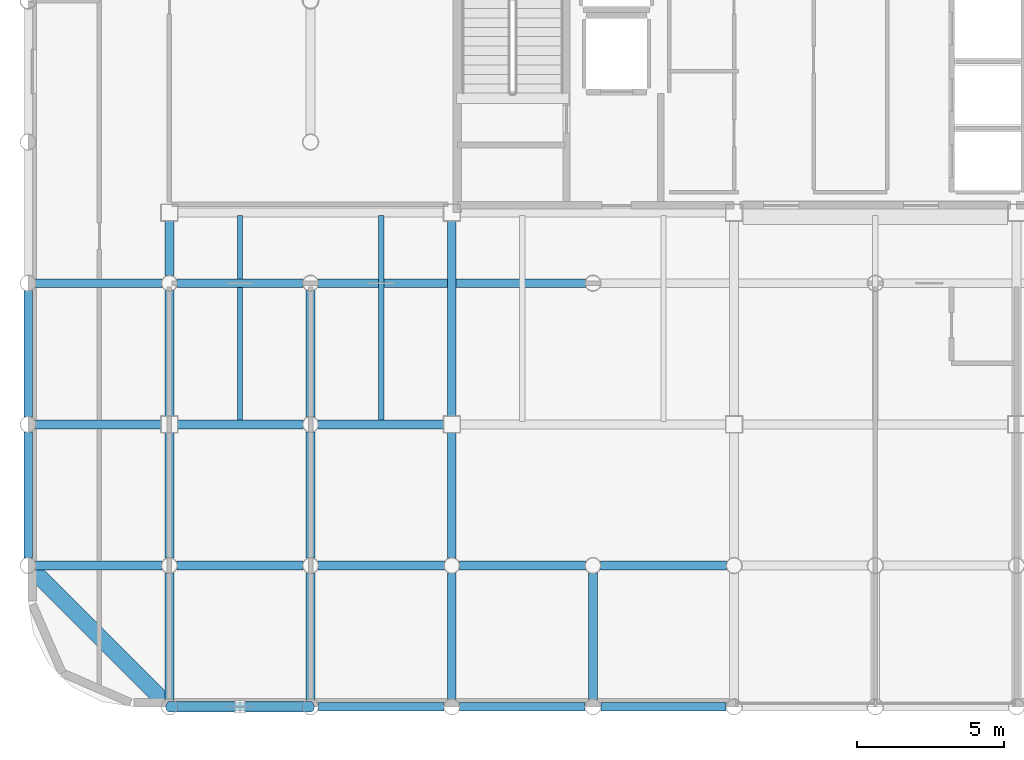
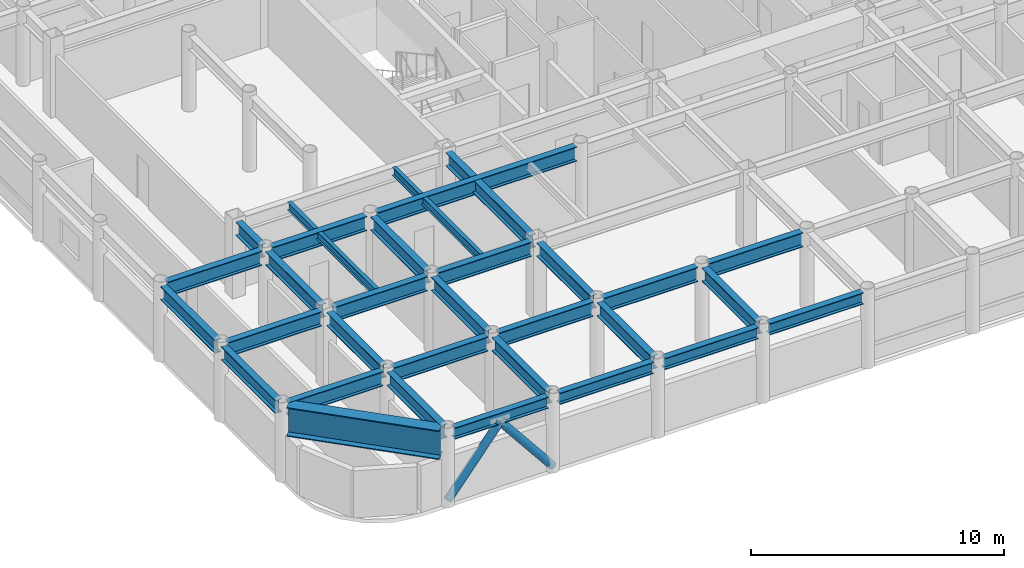
# One storey, part 3 of 22: 31 beams, 2 members.
"""IFC4 building model written with IfcOpenShell, lengths in metres."""

from ifc_helpers import new_model, si_unit, direction, frame, origin, origin_2d, place, context, subcontext, project, spatial, hollow_circle, i_section, extrude, material, material_profile, profile_set, type_object, element, save


model = new_model("IFC4")

# Units and contexts
model_context = context("Model", 3, precision=1e-05, world=origin(), true_north=direction((0.0, 1.0)))
body_context = subcontext(model_context, "Body", "Model", "MODEL_VIEW")
ifc_project = project(units=[si_unit("LENGTHUNIT", "METRE"), si_unit("AREAUNIT", "SQUARE_METRE"), si_unit("VOLUMEUNIT", "CUBIC_METRE"), si_unit("PLANEANGLEUNIT", "RADIAN"), si_unit("MASSUNIT", "GRAM", prefix="KILO")], contexts=[model_context])

# Site, building, storey
site_placement = place(None, origin())
site = spatial("IfcSite", under=ifc_project, at=site_placement, CompositionType="ELEMENT")
building_placement = place(site_placement, origin())
building = spatial("IfcBuilding", under=site, at=building_placement, Name="Kallvorn Hotel Tower", CompositionType="ELEMENT")
storey_placement = place(building_placement, frame((0.0, 0.0, 203.050048828125)))
storey = spatial("IfcBuildingStorey", under=building, at=storey_placement, Name="L50", CompositionType="ELEMENT", Elevation=203.050048828125)

# Beams
ifc_material_1 = material(Name="Structural steel S355JR", Category="steel")
ifc_material_profile_1 = material_profile(ifc_material_1, i_section(OverallWidth=0.300048828125, OverallDepth=0.550048828125, WebThickness=0.014892578125, FlangeThickness=0.029052734375, at=origin_2d()), Name="HE 550 B")
ifc_profile_set_1 = profile_set([ifc_material_profile_1], Name="Structural steel S355JR")
beam_type_1 = type_object("IfcBeamType", Name="BM_HE550B", PredefinedType="SPANDREL", material=ifc_profile_set_1)
for number, where, z_axis, x_axis, name in (
    (1, (-23.73046875, -24.0, 3.39501953125), (1.0, 0.0, 0.0), (0.0, 1.0, 0.0), "L51 Perimeter Spandrel 151"),
    (2, (-18.930419921875, -24.0, 3.39501953125), (1.0, 0.0, 0.0), (0.0, 1.0, 0.0), "L51 Perimeter Spandrel 152"),
):
    element("IfcBeam", number, at=place(storey_placement, frame(where, z_axis=z_axis, x_axis=x_axis)), inside=storey, type_object=beam_type_1, Name=name, PredefinedType="SPANDREL", context=body_context, shape_type="SweptSolid", body=[
        extrude(i_section(OverallWidth=0.300048828125, OverallDepth=0.550048828125, WebThickness=0.014892578125, FlangeThickness=0.029052734375, at=origin_2d()), origin(), (0.0, 0.0, 1.0), 4.260986328125),
    ])
beam_1_placement = place(storey_placement, frame((-14.130615234375, -24.0, 3.39501953125), z_axis=(1.0, 0.0, 0.0), x_axis=(0.0, 1.0, 0.0)))
element("IfcBeam", 3, at=beam_1_placement, inside=storey, type_object=beam_type_1, Name="L51 Perimeter Spandrel 153", PredefinedType="SPANDREL", context=body_context, shape_type="SweptSolid", body=[
    extrude(i_section(OverallWidth=0.300048828125, OverallDepth=0.550048828125, WebThickness=0.014892578125, FlangeThickness=0.029052734375, at=origin_2d()), origin(), (0.0, 0.0, 1.0), 4.26123046875),
])
beam_2_placement = place(storey_placement, frame((-9.33056640625, -24.0, 3.39501953125), z_axis=(1.0, 0.0, 0.0), x_axis=(0.0, 1.0, 0.0)))
element("IfcBeam", 4, at=beam_2_placement, inside=storey, type_object=beam_type_1, Name="L51 Perimeter Spandrel 154", PredefinedType="SPANDREL", context=body_context, shape_type="SweptSolid", body=[
    extrude(i_section(OverallWidth=0.300048828125, OverallDepth=0.550048828125, WebThickness=0.014892578125, FlangeThickness=0.029052734375, at=origin_2d()), origin(), (0.0, 0.0, 1.0), 4.260986328125),
])
ifc_material_2 = material(Name="Structural steel S355JR", Category="steel")
ifc_material_profile_2 = material_profile(ifc_material_2, i_section(OverallWidth=0.300048828125, OverallDepth=0.64990234375, WebThickness=0.01611328125, FlangeThickness=0.031005859375, at=origin_2d()), Name="HE 650 B")
ifc_profile_set_2 = profile_set([ifc_material_profile_2], Name="Structural steel S355JR")
beam_type_2 = type_object("IfcBeamType", Name="BM_HE650B", PredefinedType="BEAM", material=ifc_profile_set_2)
for number, where, z_axis, x_axis, name in (
    (5, (-28.800048828125, -18.945556640625, 3.344970703125), (0.0, 1.0, 0.0), (-1.0, 0.0, 0.0), "L51 Primary Y-Girder 73"),
    (6, (-28.800048828125, -14.1455078125, 3.344970703125), (0.0, 1.0, 0.0), (-1.0, 0.0, 0.0), "L51 Primary Y-Girder 74"),
    (7, (-24.0, -23.74560546875, 3.344970703125), (0.0, 1.0, 0.0), (-1.0, 0.0, 0.0), "L51 Primary Y-Girder 81"),
):
    element("IfcBeam", number, at=place(storey_placement, frame(where, z_axis=z_axis, x_axis=x_axis)), inside=storey, type_object=beam_type_2, Name=name, PredefinedType="BEAM", context=body_context, shape_type="SweptSolid", body=[
        extrude(i_section(OverallWidth=0.300048828125, OverallDepth=0.64990234375, WebThickness=0.01611328125, FlangeThickness=0.031005859375, at=origin_2d()), origin(), (0.0, 0.0, 1.0), 4.291015625),
    ])
for number, where, z_axis, x_axis, name in (
    (8, (-24.0, -18.945556640625, 3.344970703125), (0.0, 1.0, 0.0), (-1.0, 0.0, 0.0), "L51 Primary Y-Girder 82"),
    (9, (-24.0, -14.125, 3.344970703125), (0.0, 1.0, 0.0), (-1.0, 0.0, 0.0), "L51 Primary Y-Girder 83"),
):
    element("IfcBeam", number, at=place(storey_placement, frame(where, z_axis=z_axis, x_axis=x_axis)), inside=storey, type_object=beam_type_2, Name=name, PredefinedType="BEAM", context=body_context, shape_type="SweptSolid", body=[
        extrude(i_section(OverallWidth=0.300048828125, OverallDepth=0.64990234375, WebThickness=0.01611328125, FlangeThickness=0.031005859375, at=origin_2d()), origin(), (0.0, 0.0, 1.0), 4.2705078125),
    ])
beam_3_placement = place(storey_placement, frame((-24.0, -9.345458984375, 3.344970703125), z_axis=(0.0, 1.0, 0.0), x_axis=(-1.0, 0.0, 0.0)))
element("IfcBeam", 10, at=beam_3_placement, inside=storey, type_object=beam_type_2, Name="L51 Primary Y-Girder 84", PredefinedType="BEAM", context=body_context, shape_type="SweptSolid", body=[
    extrude(i_section(OverallWidth=0.300048828125, OverallDepth=0.64990234375, WebThickness=0.01611328125, FlangeThickness=0.031005859375, at=origin_2d()), origin(), (0.0, 0.0, 1.0), 1.870361328125),
])
for number, where, z_axis, x_axis, name in (
    (11, (-19.199951171875, -23.74560546875, 3.344970703125), (0.0, 1.0, 0.0), (-1.0, 0.0, 0.0), "L51 Primary Y-Girder 88"),
    (12, (-19.199951171875, -18.945556640625, 3.344970703125), (0.0, 1.0, 0.0), (-1.0, 0.0, 0.0), "L51 Primary Y-Girder 89"),
    (13, (-19.199951171875, -14.1455078125, 3.344970703125), (0.0, 1.0, 0.0), (-1.0, 0.0, 0.0), "L51 Primary Y-Girder 90"),
    (14, (-14.39990234375, -23.74560546875, 3.344970703125), (0.0, 1.0, 0.0), (-1.0, 0.0, 0.0), "L51 Primary Y-Girder 97"),
):
    element("IfcBeam", number, at=place(storey_placement, frame(where, z_axis=z_axis, x_axis=x_axis)), inside=storey, type_object=beam_type_2, Name=name, PredefinedType="BEAM", context=body_context, shape_type="SweptSolid", body=[
        extrude(i_section(OverallWidth=0.300048828125, OverallDepth=0.64990234375, WebThickness=0.01611328125, FlangeThickness=0.031005859375, at=origin_2d()), origin(), (0.0, 0.0, 1.0), 4.291015625),
    ])
beam_4_placement = place(storey_placement, frame((-14.39990234375, -18.945556640625, 3.344970703125), z_axis=(0.0, 1.0, 0.0), x_axis=(-1.0, 0.0, 0.0)))
element("IfcBeam", 15, at=beam_4_placement, inside=storey, type_object=beam_type_2, Name="L51 Primary Y-Girder 98", PredefinedType="BEAM", context=body_context, shape_type="SweptSolid", body=[
    extrude(i_section(OverallWidth=0.300048828125, OverallDepth=0.64990234375, WebThickness=0.01611328125, FlangeThickness=0.031005859375, at=origin_2d()), origin(), (0.0, 0.0, 1.0), 4.2705078125),
])
beam_5_placement = place(storey_placement, frame((-14.39990234375, -14.125, 3.344970703125), z_axis=(0.0, 1.0, 0.0), x_axis=(-1.0, 0.0, 0.0)))
element("IfcBeam", 16, at=beam_5_placement, inside=storey, type_object=beam_type_2, Name="L51 Primary Y-Girder 99", PredefinedType="BEAM", context=body_context, shape_type="SweptSolid", body=[
    extrude(i_section(OverallWidth=0.300048828125, OverallDepth=0.64990234375, WebThickness=0.01611328125, FlangeThickness=0.031005859375, at=origin_2d()), origin(), (0.0, 0.0, 1.0), 6.64990234375),
])
beam_6_placement = place(storey_placement, frame((-9.60009765625, -23.74560546875, 3.344970703125), z_axis=(0.0, 1.0, 0.0), x_axis=(-1.0, 0.0, 0.0)))
element("IfcBeam", 17, at=beam_6_placement, inside=storey, type_object=beam_type_2, Name="L51 Primary Y-Girder 102", PredefinedType="BEAM", context=body_context, shape_type="SweptSolid", body=[
    extrude(i_section(OverallWidth=0.300048828125, OverallDepth=0.64990234375, WebThickness=0.01611328125, FlangeThickness=0.031005859375, at=origin_2d()), origin(), (0.0, 0.0, 1.0), 4.291015625),
])
ifc_material_3 = material(Name="Structural steel S355JR", Category="steel")
ifc_material_profile_3 = material_profile(ifc_material_3, i_section(OverallWidth=0.300048828125, OverallDepth=0.699951171875, WebThickness=0.01708984375, FlangeThickness=0.031982421875, at=origin_2d()), Name="HE 700 B")
ifc_profile_set_3 = profile_set([ifc_material_profile_3], Name="Structural steel S355JR")
beam_type_3 = type_object("IfcBeamType", Name="BM_HE700B", PredefinedType="BEAM", material=ifc_profile_set_3)
for number, where, z_axis, x_axis, name in (
    (18, (-28.54541015625, -19.199951171875, 3.320068359375), (1.0, 0.0, 0.0), (0.0, 1.0, 0.0), "L51 Primary X-Girder 01"),
    (19, (-23.74560546875, -19.199951171875, 3.320068359375), (1.0, 0.0, 0.0), (0.0, 1.0, 0.0), "L51 Primary X-Girder 02"),
    (20, (-18.945556640625, -19.199951171875, 3.320068359375), (1.0, 0.0, 0.0), (0.0, 1.0, 0.0), "L51 Primary X-Girder 03"),
    (21, (-14.1455078125, -19.199951171875, 3.320068359375), (1.0, 0.0, 0.0), (0.0, 1.0, 0.0), "L51 Primary X-Girder 04"),
    (22, (-9.345458984375, -19.199951171875, 3.320068359375), (1.0, 0.0, 0.0), (0.0, 1.0, 0.0), "L51 Primary X-Girder 05"),
):
    element("IfcBeam", number, at=place(storey_placement, frame(where, z_axis=z_axis, x_axis=x_axis)), inside=storey, type_object=beam_type_3, Name=name, PredefinedType="BEAM", context=body_context, shape_type="SweptSolid", body=[
        extrude(i_section(OverallWidth=0.300048828125, OverallDepth=0.699951171875, WebThickness=0.01708984375, FlangeThickness=0.031982421875, at=origin_2d()), origin(), (0.0, 0.0, 1.0), 4.291015625),
    ])
for number, where, z_axis, x_axis, name in (
    (23, (-28.54541015625, -14.39990234375, 3.320068359375), (1.0, 0.0, 0.0), (0.0, 1.0, 0.0), "L51 Primary X-Girder 14"),
    (24, (-23.72509765625, -14.39990234375, 3.320068359375), (1.0, 0.0, 0.0), (0.0, 1.0, 0.0), "L51 Primary X-Girder 15"),
    (25, (-18.945556640625, -14.39990234375, 3.320068359375), (1.0, 0.0, 0.0), (0.0, 1.0, 0.0), "L51 Primary X-Girder 16"),
):
    element("IfcBeam", number, at=place(storey_placement, frame(where, z_axis=z_axis, x_axis=x_axis)), inside=storey, type_object=beam_type_3, Name=name, PredefinedType="BEAM", context=body_context, shape_type="SweptSolid", body=[
        extrude(i_section(OverallWidth=0.300048828125, OverallDepth=0.699951171875, WebThickness=0.01708984375, FlangeThickness=0.031982421875, at=origin_2d()), origin(), (0.0, 0.0, 1.0), 4.2705078125),
    ])
for number, where, z_axis, x_axis, name in (
    (26, (-28.54541015625, -9.60009765625, 3.320068359375), (1.0, 0.0, 0.0), (0.0, 1.0, 0.0), "L51 Primary X-Girder 24"),
    (27, (-23.74560546875, -9.60009765625, 3.320068359375), (1.0, 0.0, 0.0), (0.0, 1.0, 0.0), "L51 Primary X-Girder 25"),
):
    element("IfcBeam", number, at=place(storey_placement, frame(where, z_axis=z_axis, x_axis=x_axis)), inside=storey, type_object=beam_type_3, Name=name, PredefinedType="BEAM", context=body_context, shape_type="SweptSolid", body=[
        extrude(i_section(OverallWidth=0.300048828125, OverallDepth=0.699951171875, WebThickness=0.01708984375, FlangeThickness=0.031982421875, at=origin_2d()), origin(), (0.0, 0.0, 1.0), 4.291015625),
    ])
beam_7_placement = place(storey_placement, frame((-18.945556640625, -9.60009765625, 3.320068359375), z_axis=(1.0, 0.0, 0.0), x_axis=(0.0, 1.0, 0.0)))
element("IfcBeam", 28, at=beam_7_placement, inside=storey, type_object=beam_type_3, Name="L51 Primary X-Girder 26", PredefinedType="BEAM", context=body_context, shape_type="SweptSolid", body=[
    extrude(i_section(OverallWidth=0.300048828125, OverallDepth=0.699951171875, WebThickness=0.01708984375, FlangeThickness=0.031982421875, at=origin_2d()), origin(), (0.0, 0.0, 1.0), 9.091064453125),
])
ifc_material_4 = material(Name="Structural steel S355JR", Category="steel")
ifc_material_profile_4 = material_profile(ifc_material_4, i_section(OverallWidth=0.179931640625, OverallDepth=0.39990234375, WebThickness=0.008544921875, FlangeThickness=0.013427734375, at=origin_2d()), Name="IPE 400")
ifc_profile_set_4 = profile_set([ifc_material_profile_4], Name="Structural steel S355JR")
beam_type_4 = type_object("IfcBeamType", Name="BM_IPE400", PredefinedType="JOIST", material=ifc_profile_set_4)
for number, where, z_axis, x_axis, name in (
    (29, (-21.60009765625, -14.300048828125, 3.469970703125), (0.0, 1.0, 0.0), (-1.0, 0.0, 0.0), "L51 Secondary Composite Joist 192"),
    (30, (-16.800048828125, -14.300048828125, 3.469970703125), (0.0, 1.0, 0.0), (-1.0, 0.0, 0.0), "L51 Secondary Composite Joist 194"),
):
    element("IfcBeam", number, at=place(storey_placement, frame(where, z_axis=z_axis, x_axis=x_axis)), inside=storey, type_object=beam_type_4, Name=name, PredefinedType="JOIST", context=body_context, shape_type="SweptSolid", body=[
        extrude(i_section(OverallWidth=0.179931640625, OverallDepth=0.39990234375, WebThickness=0.008544921875, FlangeThickness=0.013427734375, at=origin_2d()), origin(), (0.0, 0.0, 1.0), 7.0),
    ])
ifc_material_5 = material(Name="Structural steel S355JR", Category="steel")
ifc_material_profile_5 = material_profile(ifc_material_5, i_section(OverallWidth=0.550048828125, OverallDepth=1.39990234375, WebThickness=0.02490234375, FlangeThickness=0.044921875, at=origin_2d()), Name="PG 1400x550x25x45")
ifc_profile_set_5 = profile_set([ifc_material_profile_5], Name="Structural steel S355JR")
beam_type_5 = type_object("IfcBeamType", Name="BM_PG_1400", PredefinedType="BEAM", material=ifc_profile_set_5)
beam_8_placement = place(storey_placement, frame((-28.609375, -19.390625, 2.969970703125), z_axis=(0.707106781187, -0.707106781187, 0.0), x_axis=(0.707106781187, 0.707106781187, 0.0)))
element("IfcBeam", 31, at=beam_8_placement, inside=storey, type_object=beam_type_5, Name="L51 Rounded Corner Tie Beam 189", PredefinedType="BEAM", context=body_context, shape_type="SweptSolid", body=[
    extrude(i_section(OverallWidth=0.550048828125, OverallDepth=1.39990234375, WebThickness=0.02490234375, FlangeThickness=0.044921875, at=origin_2d()), origin(), (0.0, 0.0, 1.0), 6.2490234375),
])

# Members
ifc_material_6 = material(Name="Structural steel S355J2H", Category="steel")
ifc_material_profile_6 = material_profile(ifc_material_6, hollow_circle(Radius=0.177734375, WallThickness=0.01416015625, at=origin_2d()), Name="CHS 355.6x14.2")
ifc_profile_set_6 = profile_set([ifc_material_profile_6], Name="Structural steel S355J2H")
member_type = type_object("IfcMemberType", Name="MBR_EXO_CHS355", PredefinedType="BRACE", material=ifc_profile_set_6)
for number, where, z_axis, x_axis, name in (
    (32, (-23.987548828125, -24.0, 0.195556640625), (0.627270878626, 0.0, 0.778801158722), (0.0, 1.0, 0.0), "L50 Exoskeleton K-Brace S1A"),
    (33, (-19.21240234375, -24.0, 0.195556640625), (-0.627270878626, 0.0, 0.778801158722), (0.0, -1.0, 0.0), "L50 Exoskeleton K-Brace S1B"),
):
    element("IfcMember", number, at=place(storey_placement, frame(where, z_axis=z_axis, x_axis=x_axis)), inside=storey, type_object=member_type, Name=name, PredefinedType="BRACE", context=body_context, shape_type="SweptSolid", body=[
        extrude(hollow_circle(Radius=0.177734375, WallThickness=0.01416015625, at=origin_2d()), origin(), (0.0, 0.0, 1.0), 3.7861328125),
    ])

save(model, "model.ifc")
